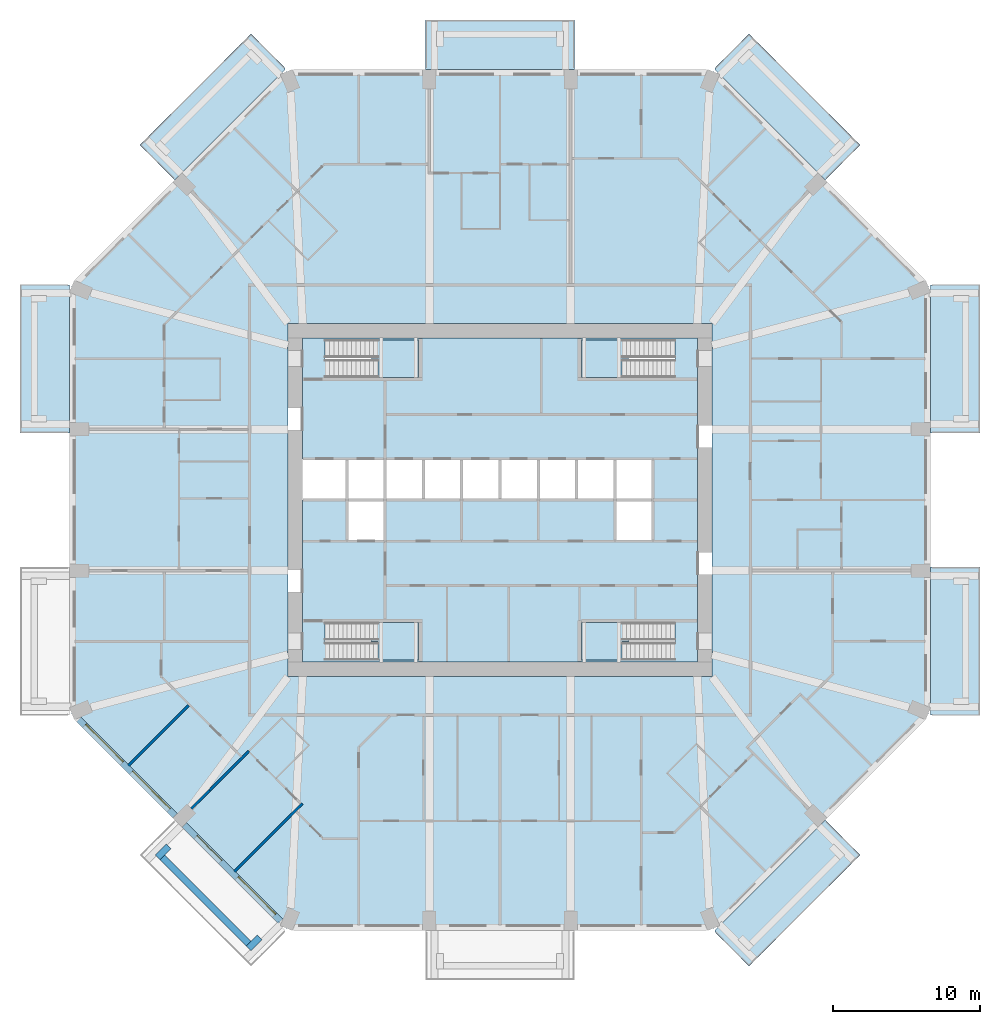
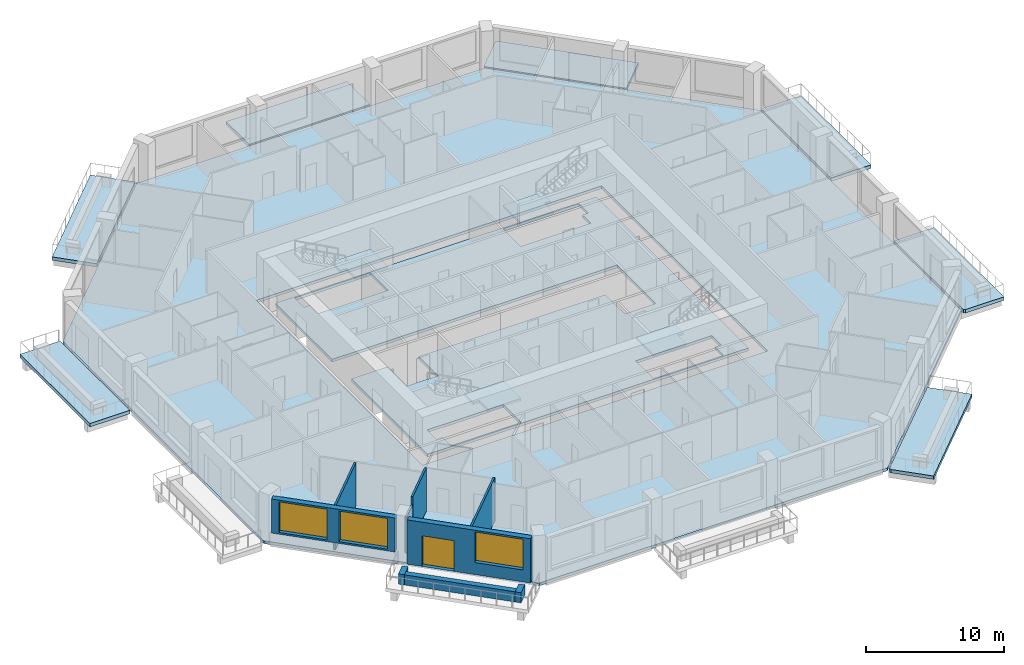
# One storey, part 2 of 13: 13 slabs, 9 walls, 3 windows, 1 door, 4 openings, 4 elements without a shape of their own.
"""IFC4 building model written with IfcOpenShell, lengths in metres."""

from ifc_helpers import new_model, si_unit, direction, frame, frame_2d, origin, place, context, subcontext, project, spatial, polyline, rectangle, outline, extrude, material, layer, layer_set, type_object, element, fill, aggregate, save


model = new_model("IFC4")

# Units and contexts
model_context = context("Model", 3, precision=1e-05, world=origin(), true_north=direction((0.0, 1.0)))
body_context = subcontext(model_context, "Body", "Model", "MODEL_VIEW")
ifc_project = project(units=[si_unit("LENGTHUNIT", "METRE"), si_unit("AREAUNIT", "SQUARE_METRE"), si_unit("VOLUMEUNIT", "CUBIC_METRE"), si_unit("PLANEANGLEUNIT", "RADIAN"), si_unit("MASSUNIT", "GRAM", prefix="KILO")], contexts=[model_context])

# Site, building, storey
site_placement = place(None, origin())
site = spatial("IfcSite", under=ifc_project, at=site_placement, CompositionType="ELEMENT")
building_placement = place(site_placement, origin())
building = spatial("IfcBuilding", under=site, at=building_placement, Name="Msitu Wima Residences", CompositionType="ELEMENT")
storey_placement = place(building_placement, frame((0.0, 0.0, 92.699951171875)))
storey = spatial("IfcBuildingStorey", under=building, at=storey_placement, Name="L21", CompositionType="ELEMENT", Elevation=92.699951171875)

# Slabs
ifc_material_1 = material(Name="Concrete C40/50", Category="concrete")
ifc_layer_1 = layer(ifc_material_1, 0.300048828125)
ifc_layer_set_1 = layer_set([ifc_layer_1], Name="Concrete C40/50")
slab_type_1 = type_object("IfcSlabType", Name="Balcony slab BS300", PredefinedType="FLOOR", material=ifc_layer_set_1)
slab_1_placement = place(storey_placement, frame((0.0, 0.0, -0.300048828125)))
element("IfcSlab", 1, at=slab_1_placement, inside=storey, type_object=slab_type_1, Name="Balcony E0 L21", PredefinedType="FLOOR", context=body_context, shape_type="SweptSolid", body=[
    extrude(outline(polyline([(29.25, -14.099365234375), (29.25, -14.099365234375), (29.25, -5.25), (29.25, -4.550048828125), (32.60009765625, -4.550048828125), (32.60009765625, -14.64990234375), (29.403564453125, -14.64990234375), (29.25, -14.58642578125), (29.25, -14.099365234375), (29.25, -14.099365234375)])), origin(), (0.0, 0.0, 1.0), 0.300048828125),
])
slab_2_placement = place(storey_placement, frame((0.0, 0.0, -0.300048828125)))
element("IfcSlab", 2, at=slab_2_placement, inside=storey, type_object=slab_type_1, Name="Balcony E2 L21", PredefinedType="FLOOR", context=body_context, shape_type="SweptSolid", body=[
    extrude(outline(polyline([(29.25, 14.099365234375), (29.25, 14.099365234375), (29.25, 14.099365234375), (29.25, 14.58642578125), (29.403564453125, 14.64990234375), (32.60009765625, 14.64990234375), (32.60009765625, 4.550048828125), (29.25, 4.550048828125), (29.25, 5.25), (29.25, 14.099365234375)])), origin(), (0.0, 0.0, 1.0), 0.300048828125),
])
slab_3_placement = place(storey_placement, frame((0.0, 0.0, -0.300048828125)))
element("IfcSlab", 3, at=slab_3_placement, inside=storey, type_object=slab_type_1, Name="Balcony NE1 L21", PredefinedType="FLOOR", context=body_context, shape_type="SweptSolid", body=[
    extrude(outline(polyline([(16.91015625, 31.663818359375), (24.4638671875, 24.1103515625), (22.094970703125, 21.741455078125), (14.58642578125, 29.25), (14.64990234375, 29.403564453125), (16.91015625, 31.663818359375)])), origin(), (0.0, 0.0, 1.0), 0.300048828125),
])
slab_4_placement = place(storey_placement, frame((0.0, 0.0, -0.300048828125)))
element("IfcSlab", 4, at=slab_4_placement, inside=storey, type_object=slab_type_1, Name="Balcony N1 L21", PredefinedType="FLOOR", context=body_context, shape_type="SweptSolid", body=[
    extrude(outline(polyline([(4.35009765625, 29.25), (-4.35009765625, 29.25), (-5.050048828125, 29.25), (-5.050048828125, 32.60009765625), (5.050048828125, 32.60009765625), (5.050048828125, 29.25), (4.35009765625, 29.25)])), origin(), (0.0, 0.0, 1.0), 0.300048828125),
])
slab_5_placement = place(storey_placement, frame((0.0, 0.0, -0.300048828125)))
element("IfcSlab", 5, at=slab_5_placement, inside=storey, type_object=slab_type_1, Name="Balcony NW0 L21", PredefinedType="FLOOR", context=body_context, shape_type="SweptSolid", body=[
    extrude(outline(polyline([(-24.4638671875, 24.1103515625), (-16.91015625, 31.663818359375), (-14.64990234375, 29.403564453125), (-14.58642578125, 29.25), (-22.094970703125, 21.741455078125), (-24.4638671875, 24.1103515625)])), origin(), (0.0, 0.0, 1.0), 0.300048828125),
])
slab_6_placement = place(storey_placement, frame((0.0, 0.0, -0.300048828125)))
element("IfcSlab", 6, at=slab_6_placement, inside=storey, type_object=slab_type_1, Name="Balcony W0 L21", PredefinedType="FLOOR", context=body_context, shape_type="SweptSolid", body=[
    extrude(outline(polyline([(-29.25, 14.099365234375), (-29.25, 14.099365234375), (-29.25, 5.25), (-29.25, 4.550048828125), (-32.60009765625, 4.550048828125), (-32.60009765625, 14.64990234375), (-29.403564453125, 14.64990234375), (-29.25, 14.58642578125), (-29.25, 14.099365234375), (-29.25, 14.099365234375)])), origin(), (0.0, 0.0, 1.0), 0.300048828125),
])
slab_7_placement = place(storey_placement, frame((0.0, 0.0, -0.300048828125)))
element("IfcSlab", 7, at=slab_7_placement, inside=storey, type_object=slab_type_1, Name="Balcony SE0 L21", PredefinedType="FLOOR", context=body_context, shape_type="SweptSolid", body=[
    extrude(outline(polyline([(24.4638671875, -24.1103515625), (16.91015625, -31.663818359375), (14.64990234375, -29.403564453125), (14.58642578125, -29.25), (22.094970703125, -21.741455078125), (24.4638671875, -24.1103515625)])), origin(), (0.0, 0.0, 1.0), 0.300048828125),
])
ifc_layer_2 = layer(ifc_material_1, 0.25)
ifc_layer_set_2 = layer_set([ifc_layer_2], Name="Concrete C40/50")
slab_type_2 = type_object("IfcSlabType", Name="Core floor CF250", PredefinedType="FLOOR", material=ifc_layer_set_2)
slab_8_placement = place(storey_placement, frame((0.0, 0.0, -0.25)))
element("IfcSlab", 8, at=slab_8_placement, inside=storey, type_object=slab_type_2, Name="Core floor", PredefinedType="FLOOR", context=body_context, shape_type="SweptSolid", body=[
    extrude(outline(polyline([(-13.39990234375, 11.0), (-13.39990234375, 2.800048828125), (-10.39990234375, 2.800048828125), (-7.800048828125, 2.800048828125), (-5.199951171875, 2.800048828125), (-2.60009765625, 2.800048828125), (0.0, 2.800048828125), (2.60009765625, 2.800048828125), (5.199951171875, 2.800048828125), (7.800048828125, 2.800048828125), (10.39990234375, 2.800048828125), (10.39990234375, 0.0), (10.39990234375, -2.800048828125), (7.800048828125, -2.800048828125), (7.800048828125, 0.0), (5.199951171875, 0.0), (2.60009765625, 0.0), (0.0, 0.0), (-2.60009765625, 0.0), (-5.199951171875, 0.0), (-7.800048828125, 0.0), (-7.800048828125, -2.800048828125), (-10.39990234375, -2.800048828125), (-10.39990234375, 0.0), (-13.39990234375, 0.0), (-13.39990234375, -11.0), (13.39990234375, -11.0), (13.39990234375, 11.0), (-13.39990234375, 11.0)]), holes=[polyline([(-11.375, -10.875), (-11.375, -9.675048828125), (-11.87451171875, -9.675048828125), (-11.87451171875, -8.324951171875), (-5.52490234375, -8.324951171875), (-5.52490234375, -10.875), (-11.375, -10.875)]), polyline([(-11.375, 9.52490234375), (-11.87451171875, 9.52490234375), (-11.87451171875, 10.875), (-5.52490234375, 10.875), (-5.52490234375, 8.324951171875), (-11.375, 8.324951171875), (-11.375, 9.52490234375)]), polyline([(11.375, -9.675048828125), (11.375, -10.875), (5.52490234375, -10.875), (5.52490234375, -8.324951171875), (11.87451171875, -8.324951171875), (11.87451171875, -9.675048828125), (11.375, -9.675048828125)]), polyline([(11.375, 9.52490234375), (11.375, 8.324951171875), (5.52490234375, 8.324951171875), (5.52490234375, 10.875), (11.87451171875, 10.875), (11.87451171875, 9.52490234375), (11.375, 9.52490234375)])]), origin(), (0.0, 0.0, 1.0), 0.25),
])
ifc_layer_3 = layer(ifc_material_1, 0.25)
ifc_layer_set_3 = layer_set([ifc_layer_3], Name="Concrete C40/50")
slab_type_3 = type_object("IfcSlabType", Name="PT flat slab 250 Concrete C40/50", PredefinedType="FLOOR", material=ifc_layer_set_3)
slab_9_placement = place(storey_placement, frame((0.0, 0.0, -0.25)))
element("IfcSlab", 9, at=slab_9_placement, inside=storey, type_object=slab_type_3, Name="Floor slab L21", PredefinedType="FLOOR", context=body_context, shape_type="SweptSolid", body=[
    extrude(outline(polyline([(29.10009765625, -14.524169921875), (14.524169921875, -29.10009765625), (-14.524169921875, -29.10009765625), (-29.10009765625, -14.524169921875), (-29.10009765625, 14.524169921875), (-14.524169921875, 29.10009765625), (14.524169921875, 29.10009765625), (29.10009765625, 14.524169921875), (29.10009765625, -14.524169921875)]), holes=[polyline([(-14.39990234375, -12.0), (14.39990234375, -12.0), (14.39990234375, 12.0), (-14.39990234375, 12.0), (-14.39990234375, -12.0)])]), origin(), (0.0, 0.0, 1.0), 0.25),
])

# Stair, slab
stair_type = type_object("IfcStairType", Name="Exit stair ES1615-120", PredefinedType="HALF_TURN_STAIR", material=ifc_material_1)
stair_1_placement = place(storey_placement, origin())
stair_1 = element("IfcStair", 10, at=stair_1_placement, inside=storey, type_object=stair_type, Name="Exit stair 1", PredefinedType="HALF_TURN_STAIR")
ifc_layer_4 = layer(ifc_material_1, 0.199951171875)
ifc_layer_set_4 = layer_set([ifc_layer_4], Name="Concrete C40/50")
slab_type_4 = type_object("IfcSlabType", Name="Stair landing SL200", PredefinedType="LANDING", material=ifc_layer_set_4)
slab_10_placement = place(storey_placement, frame((0.0, 0.0, 1.900146484375)))
slab_10 = element("IfcSlab", 11, at=slab_10_placement, type_object=slab_type_4, Name="S1 landing 1", PredefinedType="LANDING", context=body_context, shape_type="SweptSolid", body=[
    extrude(outline(polyline([(-5.52490234375, 8.324951171875), (-8.275390625, 8.324951171875), (-8.275390625, 9.60009765625), (-8.77490234375, 9.60009765625), (-8.77490234375, 10.875), (-5.52490234375, 10.875), (-5.52490234375, 8.324951171875)])), origin(), (0.0, 0.0, 1.0), 0.199951171875),
])
aggregate(stair_1, [slab_10])

stair_2_placement = place(storey_placement, origin())
stair_2 = element("IfcStair", 12, at=stair_2_placement, inside=storey, type_object=stair_type, Name="Exit stair 2", PredefinedType="HALF_TURN_STAIR")
slab_11_placement = place(storey_placement, frame((0.0, 0.0, 1.900146484375)))
slab_11 = element("IfcSlab", 13, at=slab_11_placement, type_object=slab_type_4, Name="S2 landing 1", PredefinedType="LANDING", context=body_context, shape_type="SweptSolid", body=[
    extrude(outline(polyline([(-5.52490234375, -10.875), (-8.275390625, -10.875), (-8.275390625, -9.60009765625), (-8.77490234375, -9.60009765625), (-8.77490234375, -8.324951171875), (-5.52490234375, -8.324951171875), (-5.52490234375, -10.875)])), origin(), (0.0, 0.0, 1.0), 0.199951171875),
])
aggregate(stair_2, [slab_11])

stair_3_placement = place(storey_placement, origin())
stair_3 = element("IfcStair", 14, at=stair_3_placement, inside=storey, type_object=stair_type, Name="Exit stair 3", PredefinedType="HALF_TURN_STAIR")
slab_12_placement = place(storey_placement, frame((0.0, 0.0, 1.900146484375)))
slab_12 = element("IfcSlab", 15, at=slab_12_placement, type_object=slab_type_4, Name="S3 landing 1", PredefinedType="LANDING", context=body_context, shape_type="SweptSolid", body=[
    extrude(outline(polyline([(5.52490234375, 8.324951171875), (8.275390625, 8.324951171875), (8.275390625, 9.60009765625), (8.77490234375, 9.60009765625), (8.77490234375, 10.875), (5.52490234375, 10.875), (5.52490234375, 8.324951171875)])), origin(), (0.0, 0.0, 1.0), 0.199951171875),
])
aggregate(stair_3, [slab_12])

stair_4_placement = place(storey_placement, origin())
stair_4 = element("IfcStair", 16, at=stair_4_placement, inside=storey, type_object=stair_type, Name="Exit stair 4", PredefinedType="HALF_TURN_STAIR")
slab_13_placement = place(storey_placement, frame((0.0, 0.0, 1.900146484375)))
slab_13 = element("IfcSlab", 17, at=slab_13_placement, type_object=slab_type_4, Name="S4 landing 1", PredefinedType="LANDING", context=body_context, shape_type="SweptSolid", body=[
    extrude(outline(polyline([(5.52490234375, -10.875), (8.275390625, -10.875), (8.275390625, -9.60009765625), (8.77490234375, -9.60009765625), (8.77490234375, -8.324951171875), (5.52490234375, -8.324951171875), (5.52490234375, -10.875)])), origin(), (0.0, 0.0, 1.0), 0.199951171875),
])
aggregate(stair_4, [slab_13])

# Walls
ifc_material_2 = material(Name="Facing brick")
ifc_layer_5 = layer(ifc_material_2, 0.06494140625, Name="Facing brick")
ifc_layer_6 = layer(ifc_material_1, 0.156005859375, Name="Concrete C40/50")
ifc_material_3 = material(Name="Waterproofing membrane")
ifc_layer_7 = layer(ifc_material_3, 0.00390625, Name="Waterproofing membrane")
ifc_material_4 = material(Name="Planting soil and planting")
ifc_layer_8 = layer(ifc_material_4, 0.22509765625, Name="Planting soil and planting")
ifc_layer_set_5 = layer_set([ifc_layer_5, ifc_layer_6, ifc_layer_7, ifc_layer_8], Name="Concrete C40/50")
wall_type_1 = type_object("IfcWallType", Name="Balcony planter PLANTER PL450", PredefinedType="USERDEFINED", material=ifc_layer_set_5)
wall_1_placement = place(storey_placement, frame((-22.92578125, -24.269287109375, 0.0), z_axis=(0.0, 0.0, 1.0), x_axis=(0.707106781187, -0.707106781187, 0.0)))
element("IfcWall", 18, at=wall_1_placement, inside=storey, type_object=wall_type_1, Name="Balcony planter SW1 L21", ObjectType="PLANTER", PredefinedType="USERDEFINED", context=body_context, shape_type="SweptSolid", body=[
    extrude(rectangle(XDim=8.2822265625, YDim=0.449951171875, at=frame_2d((4.14111328125, 0.0))), origin(), (0.0, 0.0, 1.0), 0.900146484375),
])
for number, where, z_axis, x_axis, name in (
    (19, (-22.50146484375, -23.52685546875, 0.0), (0.0, 0.0, 1.0), (-0.707223014731, -0.706990528533, 0.0), "Balcony planter SW1 L21"),
    (20, (-16.326904296875, -29.70166015625, 0.0), (0.0, 0.0, 1.0), (-0.707106781187, -0.707106781187, 0.0), "Balcony planter SW1 L21"),
):
    element("IfcWall", number, at=place(storey_placement, frame(where, z_axis=z_axis, x_axis=x_axis)), inside=storey, type_object=wall_type_1, Name=name, ObjectType="PLANTER", PredefinedType="USERDEFINED", context=body_context, shape_type="SweptSolid", body=[
        extrude(rectangle(XDim=1.050048828125, YDim=0.449951171875, at=frame_2d((0.52490234375, 0.0))), origin(), (0.0, 0.0, 1.0), 0.900146484375),
    ])

# Wall, openings, windows
ifc_material_5 = material(Name="Brick (red buff mix)", Category="masonry")
ifc_layer_9 = layer(ifc_material_5, 0.449951171875)
ifc_layer_set_6 = layer_set([ifc_layer_9], Name="Brick (red buff mix)")
wall_type_2 = type_object("IfcWallType", Name="Brick infill wall BW450", PredefinedType="SOLIDWALL", material=ifc_layer_set_6)
wall_2_placement = place(storey_placement, frame((-28.61474609375, -14.903564453125, 0.900146484375), z_axis=(0.0, 0.0, 1.0), x_axis=(0.707106781187, -0.707106781187, 0.0)))
wall_2 = element("IfcWall", 21, at=wall_2_placement, inside=storey, type_object=wall_type_2, Name="Brick infill wall L21 SW0", PredefinedType="SOLIDWALL", context=body_context, shape_type="SweptSolid", body=[
    extrude(rectangle(XDim=9.2451171875, YDim=0.449951171875, at=frame_2d((4.62255859375, 0.0))), origin(), (0.0, 0.0, 1.0), 3.0),
])
opening_1_placement = place(wall_2_placement, frame((0.572509765625, 0.0, 0.14990234375)))
opening_1 = element("IfcOpeningElement", 22, at=opening_1_placement, cuts=wall_2, Name="Opening W21.024", PredefinedType="OPENING", context=body_context, shape_type="SweptSolid", body=[
    extrude(rectangle(XDim=3.60009765625, YDim=2.699951171875, at=frame_2d((1.800048828125, 1.35009765625))), frame((0.0, 0.23486328125, 0.0), z_axis=(0.0, -1.0, 0.0), x_axis=(1.0, 0.0, 0.0)), (0.0, 0.0, 1.0), 0.469970703125),
])
opening_2_placement = place(wall_2_placement, frame((5.072509765625, 0.0, 0.14990234375)))
opening_2 = element("IfcOpeningElement", 23, at=opening_2_placement, cuts=wall_2, Name="Opening W21.025", PredefinedType="OPENING", context=body_context, shape_type="SweptSolid", body=[
    extrude(rectangle(XDim=3.60009765625, YDim=2.699951171875, at=frame_2d((1.800048828125, 1.35009765625))), frame((0.0, 0.23486328125, 0.0), z_axis=(0.0, -1.0, 0.0), x_axis=(1.0, 0.0, 0.0)), (0.0, 0.0, 1.0), 0.469970703125),
])
ifc_material_6 = material(Name="Anodised aluminium, bronze finish, clear low-emissivity double glazing", Category="aluminium")
window_type = type_object("IfcWindowType", Name="Window W3600x2700", PartitioningType="DOUBLE_PANEL_VERTICAL", PredefinedType="WINDOW", material=ifc_material_6)
window_1_placement = place(opening_1_placement, origin())
window_1 = element("IfcWindow", 24, at=window_1_placement, inside=storey, type_object=window_type, Name="Window L21 SW0.1", OverallHeight=2.699951171875, OverallWidth=3.60009765625, PartitioningType="SINGLE_PANEL", PredefinedType="WINDOW", context=body_context, shape_type="SweptSolid", body=[
    extrude(rectangle(XDim=3.60009765625, YDim=2.699951171875, at=frame_2d((1.800048828125, 1.35009765625))), frame((0.0, 0.135009765625, 0.0), z_axis=(0.0, -1.0, 0.0), x_axis=(1.0, 0.0, 0.0)), (0.0, 0.0, 1.0), 0.06005859375),
])
fill(opening_1, window_1)
window_2_placement = place(opening_2_placement, origin())
window_2 = element("IfcWindow", 25, at=window_2_placement, inside=storey, type_object=window_type, Name="Window L21 SW0.2", OverallHeight=2.699951171875, OverallWidth=3.60009765625, PartitioningType="SINGLE_PANEL", PredefinedType="WINDOW", context=body_context, shape_type="SweptSolid", body=[
    extrude(rectangle(XDim=3.60009765625, YDim=2.699951171875, at=frame_2d((1.800048828125, 1.35009765625))), frame((0.0, 0.135009765625, 0.0), z_axis=(0.0, -1.0, 0.0), x_axis=(1.0, 0.0, 0.0)), (0.0, 0.0, 1.0), 0.06005859375),
])
fill(opening_2, window_2)

# Wall, openings, door, window
wall_3_placement = place(storey_placement, frame((-21.44091796875, -22.077392578125, 0.0), z_axis=(0.0, 0.0, 1.0), x_axis=(0.707106781187, -0.707106781187, 0.0)))
wall_3 = element("IfcWall", 26, at=wall_3_placement, inside=storey, type_object=wall_type_2, Name="Brick infill wall L21 SW1", PredefinedType="SOLIDWALL", context=body_context, shape_type="SweptSolid", body=[
    extrude(rectangle(XDim=9.2451171875, YDim=0.449951171875, at=frame_2d((4.62255859375, 0.0))), origin(), (0.0, 0.0, 1.0), 3.900146484375),
])
opening_3_placement = place(wall_3_placement, frame((1.111328125, 0.0, 0.0)))
opening_3 = element("IfcOpeningElement", 27, at=opening_3_placement, cuts=wall_3, Name="Opening D21.008", PredefinedType="OPENING", context=body_context, shape_type="SweptSolid", body=[
    extrude(rectangle(XDim=2.39990234375, YDim=2.699951171875, at=frame_2d((1.199951171875, 1.35009765625))), frame((0.0, 0.23486328125, 0.0), z_axis=(0.0, -1.0, 0.0), x_axis=(1.0, 0.0, 0.0)), (0.0, 0.0, 1.0), 0.469970703125),
])
opening_4_placement = place(wall_3_placement, frame((5.072509765625, 0.0, 1.050048828125)))
opening_4 = element("IfcOpeningElement", 28, at=opening_4_placement, cuts=wall_3, Name="Opening W21.026", PredefinedType="OPENING", context=body_context, shape_type="SweptSolid", body=[
    extrude(rectangle(XDim=3.60009765625, YDim=2.699951171875, at=frame_2d((1.800048828125, 1.35009765625))), frame((0.0, 0.23486328125, 0.0), z_axis=(0.0, -1.0, 0.0), x_axis=(1.0, 0.0, 0.0)), (0.0, 0.0, 1.0), 0.469970703125),
])
door_type = type_object("IfcDoorType", Name="Balcony door D2400x2700", OperationType="SLIDING_TO_LEFT", PredefinedType="DOOR", material=ifc_material_6)
door_placement = place(opening_3_placement, origin())
door = element("IfcDoor", 29, at=door_placement, inside=storey, type_object=door_type, Name="Balcony door L21 SW1", OperationType="SINGLE_SWING_LEFT", OverallHeight=2.699951171875, OverallWidth=2.39990234375, PredefinedType="DOOR", context=body_context, shape_type="SweptSolid", body=[
    extrude(rectangle(XDim=2.39990234375, YDim=2.699951171875, at=frame_2d((1.199951171875, 1.35009765625))), frame((0.0, 0.1298828125, 0.0), z_axis=(0.0, -1.0, 0.0), x_axis=(1.0, 0.0, 0.0)), (0.0, 0.0, 1.0), 0.050048828125),
])
fill(opening_3, door)
window_3_placement = place(opening_4_placement, origin())
window_3 = element("IfcWindow", 30, at=window_3_placement, inside=storey, type_object=window_type, Name="Window L21 SW1.2", OverallHeight=2.699951171875, OverallWidth=3.60009765625, PartitioningType="SINGLE_PANEL", PredefinedType="WINDOW", context=body_context, shape_type="SweptSolid", body=[
    extrude(rectangle(XDim=3.60009765625, YDim=2.699951171875, at=frame_2d((1.800048828125, 1.35009765625))), frame((0.0, 0.135009765625, 0.0), z_axis=(0.0, -1.0, 0.0), x_axis=(1.0, 0.0, 0.0)), (0.0, 0.0, 1.0), 0.06005859375),
])
fill(opening_4, window_3)

# Walls
ifc_material_7 = material(Name="Plaster")
ifc_layer_10 = layer(ifc_material_7, 0.011962890625, Name="Plaster")
ifc_material_8 = material(Name="Concrete blockwork", Category="masonry")
ifc_layer_11 = layer(ifc_material_8, 0.1259765625, Name="Concrete blockwork")
ifc_layer_12 = layer(ifc_material_7, 0.011962890625, Name="Plaster")
ifc_layer_set_7 = layer_set([ifc_layer_10, ifc_layer_11, ifc_layer_12], Name="Concrete blockwork")
wall_type_3 = type_object("IfcWallType", Name="Partition PW150", PredefinedType="PARTITIONING", material=ifc_layer_set_7)
wall_4_placement = place(storey_placement, frame((-25.23876953125, -18.038818359375, 0.0), z_axis=(0.0, 0.0, 1.0), x_axis=(0.707106781187, 0.707106781187, 0.0)))
element("IfcWall", 31, at=wall_4_placement, inside=storey, type_object=wall_type_3, Name="Partition", PredefinedType="PARTITIONING", context=body_context, shape_type="SweptSolid", body=[
    extrude(rectangle(XDim=5.77978515625, YDim=0.14990234375, at=frame_2d((2.889892578125, 0.0))), origin(), (0.0, 0.0, 1.0), 3.798095703125),
])
wall_5_placement = place(storey_placement, frame((-20.963623046875, -20.963623046875, 0.0), z_axis=(0.0, 0.0, 1.0), x_axis=(0.707106781187, 0.707106781187, 0.0)))
element("IfcWall", 32, at=wall_5_placement, inside=storey, type_object=wall_type_3, Name="Partition", PredefinedType="PARTITIONING", context=body_context, shape_type="SweptSolid", body=[
    extrude(rectangle(XDim=1.74853515625, YDim=0.14990234375, at=frame_2d((0.874267578125, 0.0))), origin(), (0.0, 0.0, 1.0), 3.10009765625),
])
wall_6_placement = place(storey_placement, frame((-19.727294921875, -19.727294921875, 0.0), z_axis=(0.0, 0.0, 1.0), x_axis=(0.707106781187, 0.707106781187, 0.0)))
element("IfcWall", 33, at=wall_6_placement, inside=storey, type_object=wall_type_3, Name="Partition", PredefinedType="PARTITIONING", context=body_context, shape_type="SweptSolid", body=[
    extrude(rectangle(XDim=3.771728515625, YDim=0.14990234375, at=frame_2d((1.8857421875, 0.0))), origin(), (0.0, 0.0, 1.0), 3.798095703125),
])
wall_7_placement = place(storey_placement, frame((-18.038818359375, -25.23876953125, 0.0), z_axis=(0.0, 0.0, 1.0), x_axis=(0.707125475104, 0.707088086775, 0.0)))
element("IfcWall", 34, at=wall_7_placement, inside=storey, type_object=wall_type_3, Name="Partition", PredefinedType="PARTITIONING", context=body_context, shape_type="SweptSolid", body=[
    extrude(rectangle(XDim=6.52978515625, YDim=0.14990234375, at=frame_2d((3.264892578125, 0.0))), origin(), (0.0, 0.0, 1.0), 3.798095703125),
])

save(model, "model.ifc")
